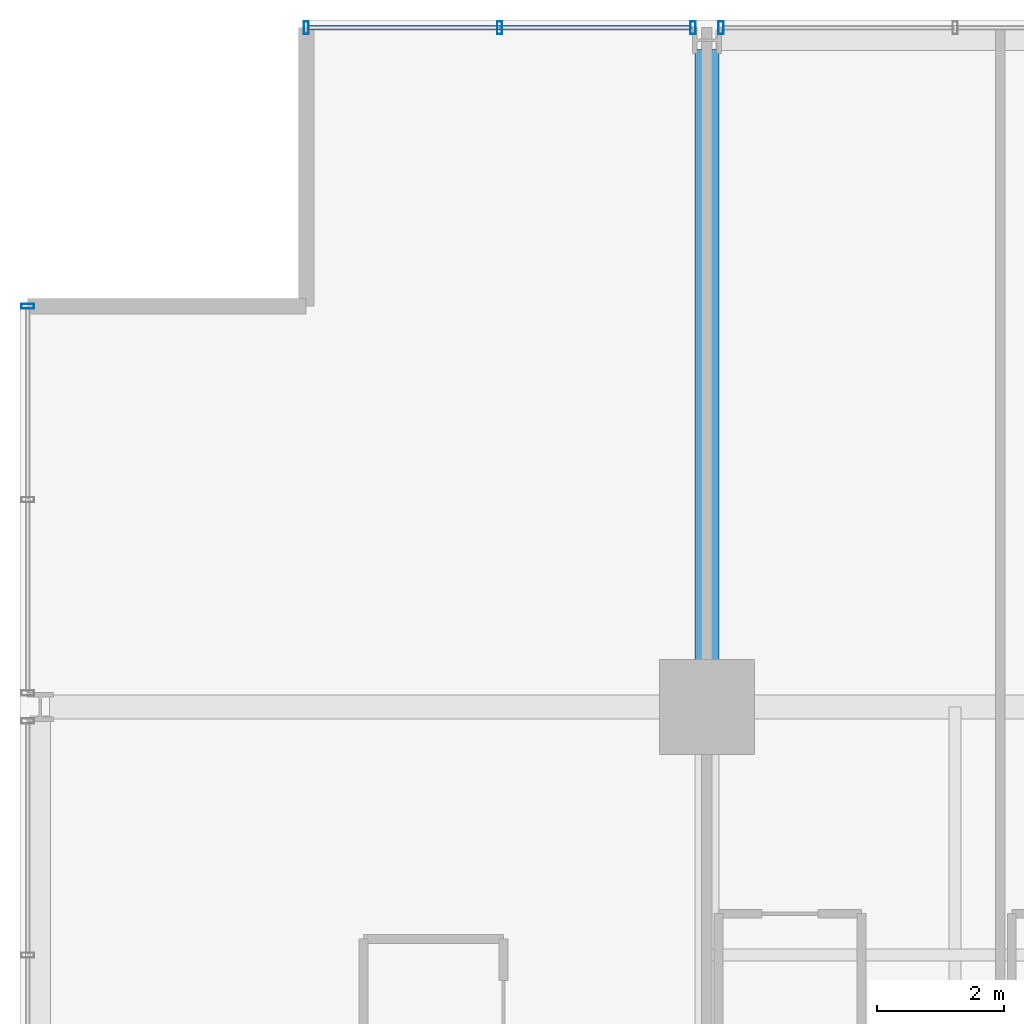
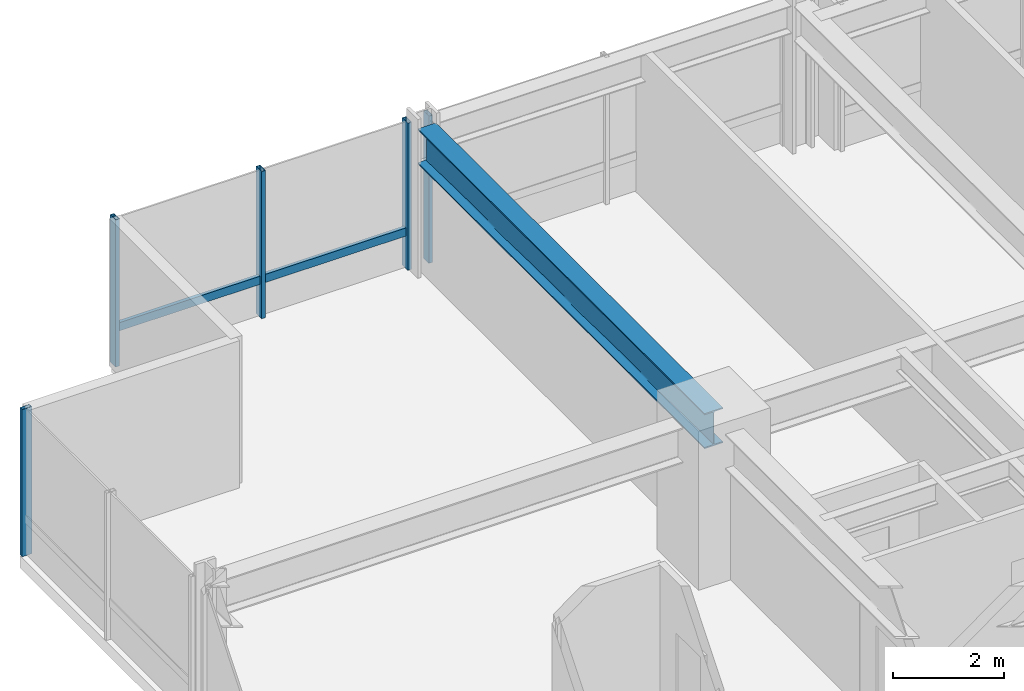
# One storey, part 20 of 35: 6 members, 1 beam, 3 elements without a shape of their own.
"""IFC4 building model written with IfcOpenShell, lengths in metres."""

from ifc_helpers import new_model, si_unit, direction, frame, origin, origin_2d, place, context, subcontext, project, spatial, hollow_rectangle, i_section, extrude, material, layer, layer_set, material_profile, profile_set, type_object, element, aggregate, save


model = new_model("IFC4")

# Units and contexts
model_context = context("Model", 3, precision=1e-05, world=origin(), true_north=direction((0.0, 1.0)))
body_context = subcontext(model_context, "Body", "Model", "MODEL_VIEW")
ifc_project = project(units=[si_unit("LENGTHUNIT", "METRE"), si_unit("AREAUNIT", "SQUARE_METRE"), si_unit("VOLUMEUNIT", "CUBIC_METRE"), si_unit("PLANEANGLEUNIT", "RADIAN"), si_unit("MASSUNIT", "GRAM", prefix="KILO")], contexts=[model_context])

# Site, building, storey
site_placement = place(None, origin())
site = spatial("IfcSite", under=ifc_project, at=site_placement, CompositionType="ELEMENT")
building_placement = place(site_placement, origin())
building = spatial("IfcBuilding", under=site, at=building_placement, Name="Drelvath Grand Hotel", CompositionType="ELEMENT")
storey_placement = place(building_placement, frame((0.0, 0.0, 95.300048828125)))
storey = spatial("IfcBuildingStorey", under=building, at=storey_placement, Name="L23", CompositionType="ELEMENT", Elevation=95.300048828125)

# Curtain wall, member
ifc_material_1 = material(Name="Champagne Bronze Anodised Aluminium Frame", Category="aluminium")
ifc_layer = layer(ifc_material_1, 0.199951171875)
ifc_layer_set = layer_set([ifc_layer], Name="Champagne Bronze Anodised Aluminium Frame")
curtain_wall_type = type_object("IfcCurtainWallType", Name="Stick Curtain Wall CW-03 Champagne Bronze Mid-Rise", PredefinedType="NOTDEFINED", material=ifc_layer_set)
curtain_wall_1_placement = place(storey_placement, origin())
curtain_wall_1 = element("IfcCurtainWall", 1, at=curtain_wall_1_placement, inside=storey, type_object=curtain_wall_type, Name="L23 CW-03 Curtain Wall CW03-L23-NW1", PredefinedType="NOTDEFINED")
ifc_material_profile_1 = material_profile(ifc_material_1, hollow_rectangle(XDim=0.074951171875, YDim=0.179931640625, WallThickness=0.0048828125, at=origin_2d()), Name="HSS180X75X5")
ifc_profile_set_1 = profile_set([ifc_material_profile_1], Name="Champagne Bronze Anodised Aluminium Frame")
member_type_1 = type_object("IfcMemberType", Name="Curtain Wall Horizontal Transom CW-03 HSS180X75X5", PredefinedType="USERDEFINED", material=ifc_profile_set_1)
member_1_placement = place(storey_placement, frame((-22.4599609375, 53.8798828125, 0.81005859375), z_axis=(1.0, 0.0, 0.0), x_axis=(0.0, 1.0, 0.0)))
member_1 = element("IfcMember", 2, at=member_1_placement, type_object=member_type_1, Name="CW03-L23-NW1 Sill Transom", ObjectType="TRANSOM", PredefinedType="USERDEFINED", context=body_context, shape_type="SweptSolid", body=[
    extrude(hollow_rectangle(XDim=0.074951171875, YDim=0.179931640625, WallThickness=0.0048828125, at=origin_2d()), origin(), (0.0, 0.0, 1.0), 6.000244140625),
])

curtain_wall_2_placement = place(storey_placement, origin())
curtain_wall_2 = element("IfcCurtainWall", 3, at=curtain_wall_2_placement, inside=storey, type_object=curtain_wall_type, Name="L23 CW-03 Curtain Wall CW03-L23-WN3", PredefinedType="NOTDEFINED")
ifc_material_profile_2 = material_profile(ifc_material_1, hollow_rectangle(XDim=0.080078125, YDim=0.199951171875, WallThickness=0.0048828125, at=origin_2d()), Name="HSS200X80X5")
ifc_profile_set_2 = profile_set([ifc_material_profile_2], Name="Champagne Bronze Anodised Aluminium Frame")
member_type_2 = type_object("IfcMemberType", Name="Curtain Wall Vertical Mullion CW-03 HSS200X80X5", PredefinedType="MULLION", material=ifc_profile_set_2)
member_2_placement = place(storey_placement, frame((-26.8798828125, 49.5, 0.0), z_axis=(0.0, 0.0, 1.0), x_axis=(0.0, 1.0, 0.0)))
member_2 = element("IfcMember", 4, at=member_2_placement, type_object=member_type_2, Name="CW03-L23-WN3 Mullion 3", PredefinedType="MULLION", context=body_context, shape_type="SweptSolid", body=[
    extrude(hollow_rectangle(XDim=0.080078125, YDim=0.199951171875, WallThickness=0.0048828125, at=origin_2d()), origin(), (0.0, 0.0, 1.0), 3.239990234375),
])
aggregate(curtain_wall_2, [member_2])

# Member
member_3_placement = place(storey_placement, frame((-22.5, 53.8798828125, 0.0), z_axis=(0.0, 0.0, 1.0), x_axis=(1.0, 0.0, 0.0)))
member_3 = element("IfcMember", 5, at=member_3_placement, type_object=member_type_2, Name="CW03-L23-NW1 Mullion 1", PredefinedType="MULLION", context=body_context, shape_type="SweptSolid", body=[
    extrude(hollow_rectangle(XDim=0.080078125, YDim=0.199951171875, WallThickness=0.0048828125, at=origin_2d()), origin(), (0.0, 0.0, 1.0), 3.239990234375),
])

member_4_placement = place(storey_placement, frame((-19.459716796875, 53.8798828125, 0.0), z_axis=(0.0, 0.0, 1.0), x_axis=(1.0, 0.0, 0.0)))
member_4 = element("IfcMember", 6, at=member_4_placement, type_object=member_type_2, Name="CW03-L23-NW1 Mullion 2", PredefinedType="MULLION", context=body_context, shape_type="SweptSolid", body=[
    extrude(hollow_rectangle(XDim=0.080078125, YDim=0.199951171875, WallThickness=0.0048828125, at=origin_2d()), origin(), (0.0, 0.0, 1.0), 3.239990234375),
])

member_5_placement = place(storey_placement, frame((-16.419677734375, 53.8798828125, 0.0), z_axis=(0.0, 0.0, 1.0), x_axis=(1.0, 0.0, 0.0)))
member_5 = element("IfcMember", 7, at=member_5_placement, type_object=member_type_2, Name="CW03-L23-NW1 Mullion 3", PredefinedType="MULLION", context=body_context, shape_type="SweptSolid", body=[
    extrude(hollow_rectangle(XDim=0.080078125, YDim=0.199951171875, WallThickness=0.0048828125, at=origin_2d()), origin(), (0.0, 0.0, 1.0), 3.239990234375),
])

aggregate(curtain_wall_1, [member_3, member_4, member_5, member_1])

# Curtain wall, member
curtain_wall_3_placement = place(storey_placement, origin())
curtain_wall_3 = element("IfcCurtainWall", 8, at=curtain_wall_3_placement, inside=storey, type_object=curtain_wall_type, Name="L23 CW-03 Curtain Wall CW03-L23-NW2", PredefinedType="NOTDEFINED")
member_6_placement = place(storey_placement, frame((-15.98046875, 53.8798828125, 0.0), z_axis=(0.0, 0.0, 1.0), x_axis=(1.0, 0.0, 0.0)))
member_6 = element("IfcMember", 9, at=member_6_placement, type_object=member_type_2, Name="CW03-L23-NW2 Mullion 1", PredefinedType="MULLION", context=body_context, shape_type="SweptSolid", body=[
    extrude(hollow_rectangle(XDim=0.080078125, YDim=0.199951171875, WallThickness=0.0048828125, at=origin_2d()), origin(), (0.0, 0.0, 1.0), 3.239990234375),
])
aggregate(curtain_wall_3, [member_6])

# Beam
ifc_material_2 = material(Name="Steel ASTM A992 Gr 50", Category="steel")
ifc_material_profile_3 = material_profile(ifc_material_2, i_section(OverallWidth=0.380615234375, OverallDepth=0.773193359375, WebThickness=0.0166015625, FlangeThickness=0.027099609375, FilletRadius=0.02490234375, at=origin_2d()), Name="W30X173")
ifc_profile_set_3 = profile_set([ifc_material_profile_3], Name="Steel ASTM A992 Gr 50")
beam_type = type_object("IfcBeamType", Name="Primary Floor Girder W30X173", PredefinedType="BEAM", material=ifc_profile_set_3)
beam_placement = place(storey_placement, frame((-16.199951171875, 43.199951171875, 2.853271484375), z_axis=(0.0, 1.0, 0.0), x_axis=(-1.0, 0.0, 0.0)))
element("IfcBeam", 10, at=beam_placement, inside=storey, type_object=beam_type, Name="L23 North Grid Girder 3", PredefinedType="BEAM", context=body_context, shape_type="SweptSolid", body=[
    extrude(i_section(OverallWidth=0.380615234375, OverallDepth=0.773193359375, WebThickness=0.0166015625, FlangeThickness=0.027099609375, FilletRadius=0.02490234375, at=origin_2d()), origin(), (0.0, 0.0, 1.0), 10.340087890625),
])

save(model, "model.ifc")
